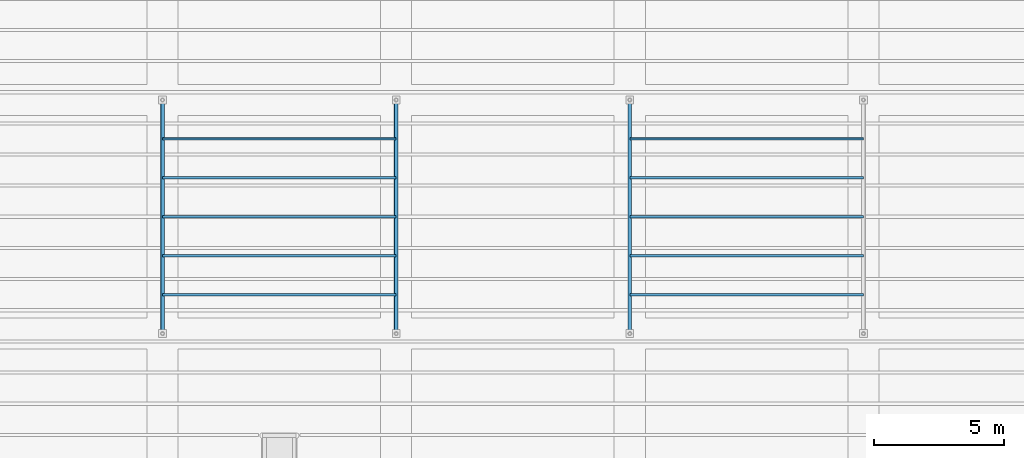
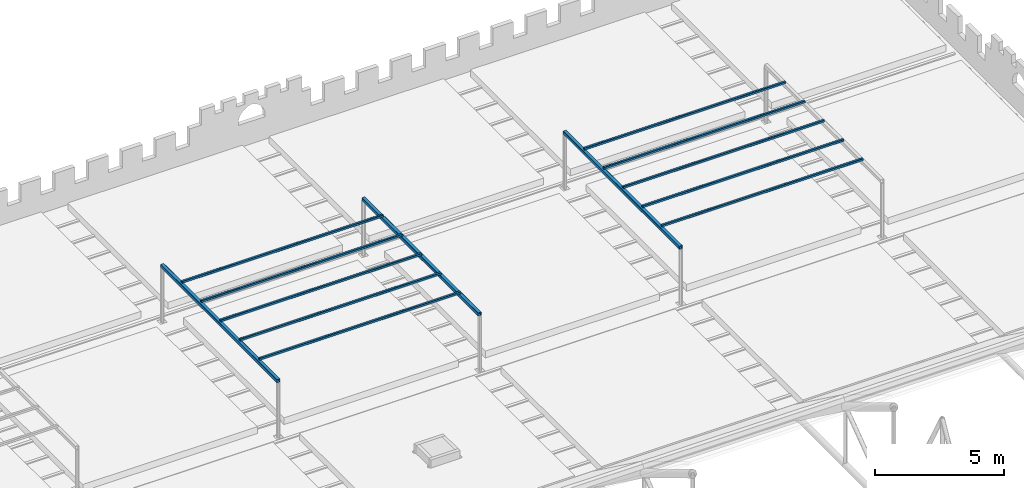
# One storey, part 83 of 153: 10 members, 3 beams.
"""IFC4 building model written with IfcOpenShell, lengths in metres."""

from ifc_helpers import new_model, si_unit, direction, frame, origin, origin_2d, place, context, subcontext, project, spatial, hollow_rectangle, extrude, material, material_profile, profile_set, type_object, element, save


model = new_model("IFC4")

# Units and contexts
model_context = context("Model", 3, precision=1e-05, world=origin(), true_north=direction((0.0, 1.0)))
body_context = subcontext(model_context, "Body", "Model", "MODEL_VIEW")
ifc_project = project(units=[si_unit("LENGTHUNIT", "METRE"), si_unit("AREAUNIT", "SQUARE_METRE"), si_unit("VOLUMEUNIT", "CUBIC_METRE"), si_unit("PLANEANGLEUNIT", "RADIAN"), si_unit("MASSUNIT", "GRAM", prefix="KILO")], contexts=[model_context])

# Site, building, storey
site_placement = place(None, origin())
site = spatial("IfcSite", under=ifc_project, at=site_placement, CompositionType="ELEMENT")
building_placement = place(site_placement, origin())
building = spatial("IfcBuilding", under=site, at=building_placement, Name="Baradari Gate Terminus", CompositionType="ELEMENT")
storey_placement = place(building_placement, frame((0.0, 0.0, 11.699951171875)))
storey = spatial("IfcBuildingStorey", under=building, at=storey_placement, Name="L02", CompositionType="ELEMENT", Elevation=11.699951171875)

# Beams
ifc_material_1 = material(Name="Steel S355", Category="steel")
ifc_material_profile_1 = material_profile(ifc_material_1, hollow_rectangle(XDim=0.14990234375, YDim=0.14990234375, WallThickness=0.00634765625, InnerFilletRadius=0.00634765625, OuterFilletRadius=0.0126953125, at=origin_2d()), Name="SHS 150x150x6.3")
ifc_profile_set_1 = profile_set([ifc_material_profile_1], Name="Steel S355")
beam_type = type_object("IfcBeamType", Name="Pergola beam SHS 150x150x6.3", PredefinedType="BEAM", material=ifc_profile_set_1)
for number, where, z_axis, x_axis, name in (
    (1, (207.0, 90.0, 2.675048828125), (0.0, 1.0, 0.0), (-1.0, 0.0, 0.0), "RF/L02/PGE2-PGB1"),
    (2, (216.0, 90.0, 2.675048828125), (0.0, 1.0, 0.0), (-1.0, 0.0, 0.0), "RF/L02/PGE2-PGB2"),
    (3, (225.0, 90.0, 2.675048828125), (0.0, 1.0, 0.0), (-1.0, 0.0, 0.0), "RF/L02/PGE3-PGB1"),
):
    element("IfcBeam", number, at=place(storey_placement, frame(where, z_axis=z_axis, x_axis=x_axis)), inside=storey, type_object=beam_type, Name=name, PredefinedType="BEAM", context=body_context, shape_type="SweptSolid", body=[
        extrude(hollow_rectangle(XDim=0.14990234375, YDim=0.14990234375, WallThickness=0.00634765625, InnerFilletRadius=0.00634765625, OuterFilletRadius=0.0126953125, at=origin_2d()), origin(), (0.0, 0.0, 1.0), 9.0),
    ])

# Members
ifc_material_2 = material(Name="Steel S355", Category="steel")
ifc_material_profile_2 = material_profile(ifc_material_2, hollow_rectangle(XDim=0.10009765625, YDim=0.10009765625, WallThickness=0.00634765625, InnerFilletRadius=0.00634765625, OuterFilletRadius=0.0126953125, at=origin_2d()), Name="SHS 100x100x6.3")
ifc_profile_set_2 = profile_set([ifc_material_profile_2], Name="Steel S355")
member_type = type_object("IfcMemberType", Name="Pergola rafter SHS 100x100x6.3", PredefinedType="STRINGER", material=ifc_profile_set_2)
for number, where, z_axis, x_axis, name in (
    (4, (207.0, 91.5, 2.800048828125), (1.0, 0.0, 0.0), (0.0, 1.0, 0.0), "RF/L02/PGE2-PGR1"),
    (5, (207.0, 93.0, 2.800048828125), (1.0, 0.0, 0.0), (0.0, 1.0, 0.0), "RF/L02/PGE2-PGR2"),
    (6, (207.0, 94.5, 2.800048828125), (1.0, 0.0, 0.0), (0.0, 1.0, 0.0), "RF/L02/PGE2-PGR3"),
    (7, (207.0, 96.0, 2.800048828125), (1.0, 0.0, 0.0), (0.0, 1.0, 0.0), "RF/L02/PGE2-PGR4"),
    (8, (207.0, 97.5, 2.800048828125), (1.0, 0.0, 0.0), (0.0, 1.0, 0.0), "RF/L02/PGE2-PGR5"),
    (9, (225.0, 91.5, 2.800048828125), (1.0, 0.0, 0.0), (0.0, 1.0, 0.0), "RF/L02/PGE3-PGR1"),
    (10, (225.0, 93.0, 2.800048828125), (1.0, 0.0, 0.0), (0.0, 1.0, 0.0), "RF/L02/PGE3-PGR2"),
    (11, (225.0, 94.5, 2.800048828125), (1.0, 0.0, 0.0), (0.0, 1.0, 0.0), "RF/L02/PGE3-PGR3"),
    (12, (225.0, 96.0, 2.800048828125), (1.0, 0.0, 0.0), (0.0, 1.0, 0.0), "RF/L02/PGE3-PGR4"),
    (13, (225.0, 97.5, 2.800048828125), (1.0, 0.0, 0.0), (0.0, 1.0, 0.0), "RF/L02/PGE3-PGR5"),
):
    element("IfcMember", number, at=place(storey_placement, frame(where, z_axis=z_axis, x_axis=x_axis)), inside=storey, type_object=member_type, Name=name, PredefinedType="STRINGER", context=body_context, shape_type="SweptSolid", body=[
        extrude(hollow_rectangle(XDim=0.10009765625, YDim=0.10009765625, WallThickness=0.00634765625, InnerFilletRadius=0.00634765625, OuterFilletRadius=0.0126953125, at=origin_2d()), origin(), (0.0, 0.0, 1.0), 9.0),
    ])

save(model, "model.ifc")
